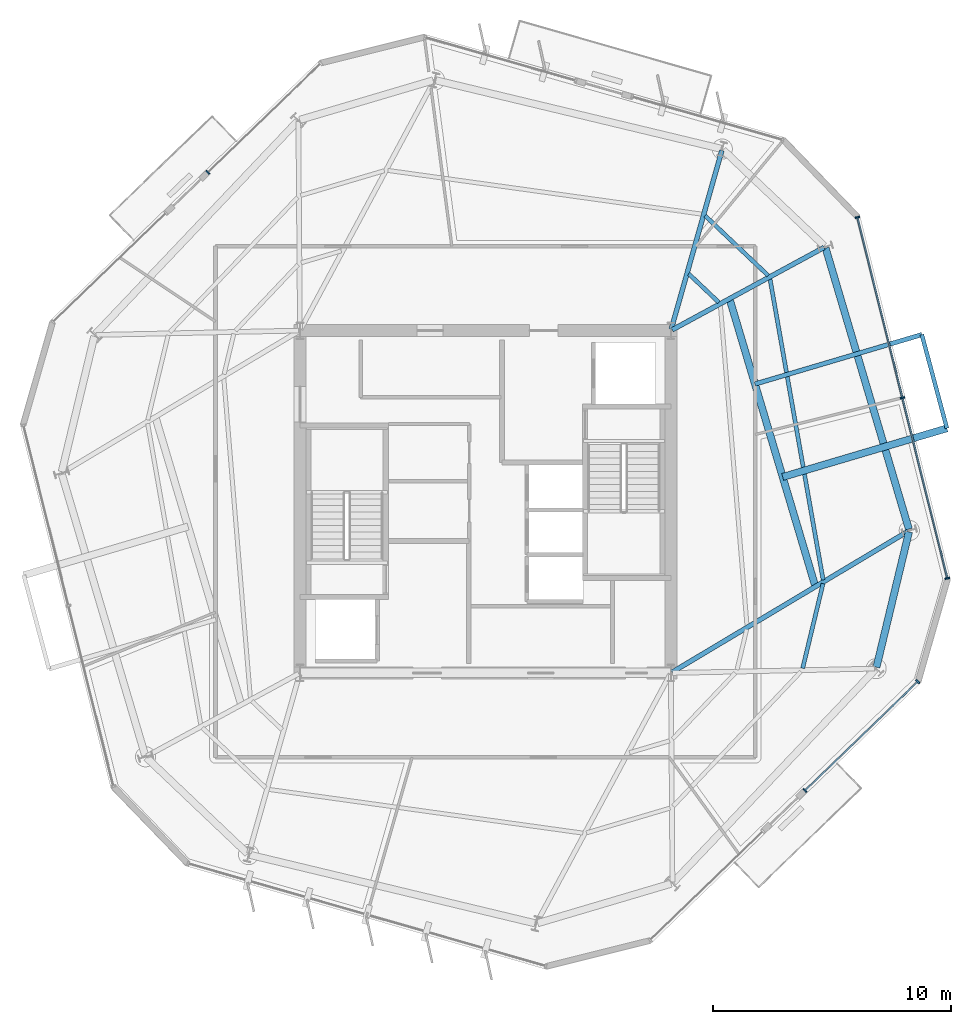
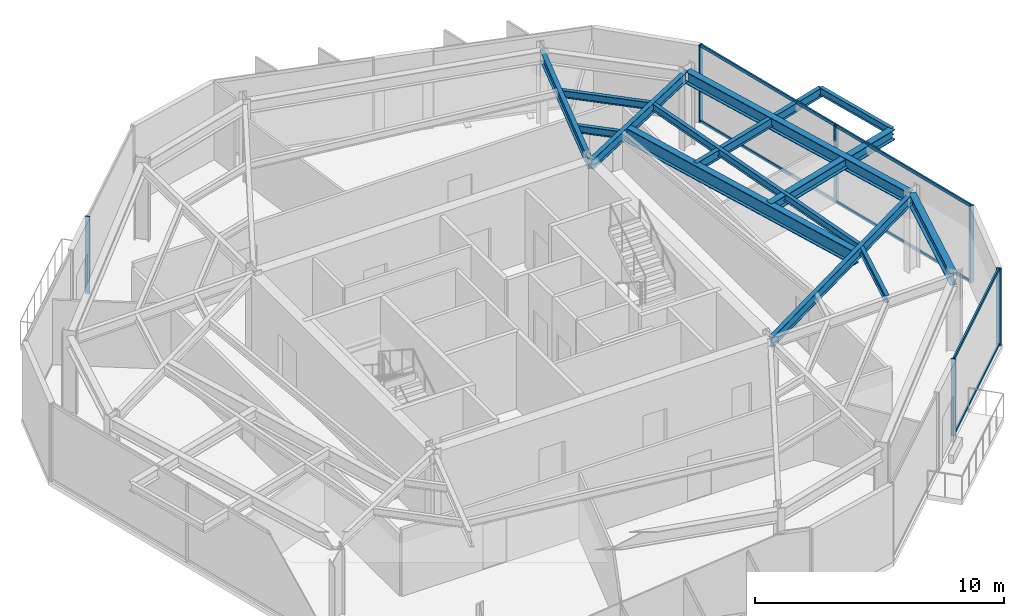
# One storey, part 4 of 10: 13 beams, 12 members, 3 elements without a shape of their own.
"""IFC4 building model written with IfcOpenShell, lengths in metres."""

from ifc_helpers import new_model, si_unit, direction, frame, origin, origin_2d, place, context, subcontext, project, spatial, rectangle, i_section, extrude, material, layer, layer_set, material_profile, profile_set, type_object, element, aggregate, save


model = new_model("IFC4")

# Units and contexts
model_context = context("Model", 3, precision=1e-05, world=origin(), true_north=direction((0.0, 1.0)))
body_context = subcontext(model_context, "Body", "Model", "MODEL_VIEW")
ifc_project = project(units=[si_unit("LENGTHUNIT", "METRE"), si_unit("AREAUNIT", "SQUARE_METRE"), si_unit("VOLUMEUNIT", "CUBIC_METRE"), si_unit("PLANEANGLEUNIT", "RADIAN"), si_unit("MASSUNIT", "GRAM", prefix="KILO")], contexts=[model_context])

# Site, building, storey
site_placement = place(None, origin())
site = spatial("IfcSite", under=ifc_project, at=site_placement, CompositionType="ELEMENT")
building_placement = place(site_placement, origin())
building = spatial("IfcBuilding", under=site, at=building_placement, Name="Kranzbogen Civic Tower", CompositionType="ELEMENT")
storey_placement = place(building_placement, frame((0.0, 0.0, 200.800048828125)))
storey = spatial("IfcBuildingStorey", under=building, at=storey_placement, Name="L48", CompositionType="ELEMENT", Elevation=200.800048828125)

# Beam
ifc_material_1 = material(Name="Steel S355", Category="steel")
ifc_material_profile_1 = material_profile(ifc_material_1, i_section(OverallWidth=0.18994140625, OverallDepth=0.449951171875, WebThickness=0.009521484375, FlangeThickness=0.0146484375, at=origin_2d()), Name="IPE 450")
ifc_profile_set_1 = profile_set([ifc_material_profile_1], Name="Steel S355")
beam_type_1 = type_object("IfcBeamType", Name="Braced Terrace Edge Beam IPE 450", PredefinedType="BEAM", material=ifc_profile_set_1)
beam_1_placement = place(storey_placement, frame((36.3369140625, 29.950927734375, 3.52490234375), z_axis=(0.958810225473, 0.28404744591, 0.0), x_axis=(-0.28404744591, 0.958810225473, 0.0)))
element("IfcBeam", 1, at=beam_1_placement, inside=storey, type_object=beam_type_1, Name="L49 back-spanned terrace beam L49-TB1-2", PredefinedType="BEAM", context=body_context, shape_type="SweptSolid", body=[
    extrude(i_section(OverallWidth=0.18994140625, OverallDepth=0.449951171875, WebThickness=0.009521484375, FlangeThickness=0.0146484375, at=origin_2d()), origin(), (0.0, 0.0, 1.0), 7.319580078125),
])

# Curtain wall, member
ifc_material_2 = material(Name="Pale Anodised Aluminium", Category="aluminium")
ifc_layer = layer(ifc_material_2, 0.219970703125, Name="Pale Anodised Aluminium")
ifc_layer_set = layer_set([ifc_layer], Name="Pale Anodised Aluminium")
curtain_wall_type = type_object("IfcCurtainWallType", Name="Zone 3 Stick Curtain Wall System CW-04", PredefinedType="USERDEFINED", material=ifc_layer_set)
curtain_wall_1_placement = place(storey_placement, origin())
curtain_wall_1 = element("IfcCurtainWall", 2, at=curtain_wall_1_placement, inside=storey, type_object=curtain_wall_type, Name="L48 curtain wall CW-L48-F2-S1", ObjectType="STICK CURTAIN WALL", PredefinedType="USERDEFINED")
ifc_material_profile_2 = material_profile(ifc_material_2, rectangle(XDim=0.070068359375, YDim=0.199951171875, at=origin_2d()), Name="ALU-M 70x200")
ifc_profile_set_2 = profile_set([ifc_material_profile_2], Name="Pale Anodised Aluminium")
member_type_1 = type_object("IfcMemberType", Name="Curtain Wall Mullion ALU-M 70x200", PredefinedType="MULLION", material=ifc_profile_set_2)
member_1_placement = place(storey_placement, frame((13.33056640625, 38.853759765625, 0.0), z_axis=(0.0, 0.0, 1.0), x_axis=(-0.719321190897, -0.694677640583, 0.0)))
member_1 = element("IfcMember", 3, at=member_1_placement, type_object=member_type_1, Name="CW-04 mullion 2", PredefinedType="MULLION", context=body_context, shape_type="SweptSolid", body=[
    extrude(rectangle(XDim=0.070068359375, YDim=0.199951171875, at=origin_2d()), origin(), (0.0, 0.0, 1.0), 3.780029296875),
])
aggregate(curtain_wall_1, [member_1])

# Curtain wall, members
curtain_wall_2_placement = place(storey_placement, origin())
curtain_wall_2 = element("IfcCurtainWall", 4, at=curtain_wall_2_placement, inside=storey, type_object=curtain_wall_type, Name="L48 curtain wall CW-L48-F5-S2", ObjectType="STICK CURTAIN WALL", PredefinedType="USERDEFINED")
member_2_placement = place(storey_placement, frame((38.4384765625, 12.854736328125, 0.0), z_axis=(0.0, 0.0, 1.0), x_axis=(0.719321190897, 0.694677640583, 0.0)))
member_2 = element("IfcMember", 5, at=member_2_placement, type_object=member_type_1, Name="CW-04 mullion 1", PredefinedType="MULLION", context=body_context, shape_type="SweptSolid", body=[
    extrude(rectangle(XDim=0.070068359375, YDim=0.199951171875, at=origin_2d()), origin(), (0.0, 0.0, 1.0), 3.780029296875),
])
member_3_placement = place(storey_placement, frame((43.182373046875, 17.436279296875, 0.0), z_axis=(0.0, 0.0, 1.0), x_axis=(0.719321190897, 0.694677640583, 0.0)))
member_3 = element("IfcMember", 6, at=member_3_placement, type_object=member_type_1, Name="CW-04 mullion 2", PredefinedType="MULLION", context=body_context, shape_type="SweptSolid", body=[
    extrude(rectangle(XDim=0.070068359375, YDim=0.199951171875, at=origin_2d()), origin(), (0.0, 0.0, 1.0), 3.780029296875),
])

curtain_wall_3_placement = place(storey_placement, origin())
curtain_wall_3 = element("IfcCurtainWall", 7, at=curtain_wall_3_placement, inside=storey, type_object=curtain_wall_type, Name="L48 curtain wall CW-L48-F6", ObjectType="STICK CURTAIN WALL", PredefinedType="USERDEFINED")
member_4_placement = place(storey_placement, frame((44.427734375, 21.780029296875, 0.0), z_axis=(0.0, 0.0, 1.0), x_axis=(-0.241906467442, 0.970299572817, 0.0)))
member_4 = element("IfcMember", 8, at=member_4_placement, type_object=member_type_1, Name="CW-04 mullion 1", PredefinedType="MULLION", context=body_context, shape_type="SweptSolid", body=[
    extrude(rectangle(XDim=0.070068359375, YDim=0.199951171875, at=origin_2d()), origin(), (0.0, 0.0, 1.0), 3.780029296875),
])
member_5_placement = place(storey_placement, frame((42.534912109375, 29.3720703125, 0.0), z_axis=(0.0, 0.0, 1.0), x_axis=(-0.241906467442, 0.970299572817, 0.0)))
member_5 = element("IfcMember", 9, at=member_5_placement, type_object=member_type_1, Name="CW-04 mullion 2", PredefinedType="MULLION", context=body_context, shape_type="SweptSolid", body=[
    extrude(rectangle(XDim=0.070068359375, YDim=0.199951171875, at=origin_2d()), origin(), (0.0, 0.0, 1.0), 3.780029296875),
])
member_6_placement = place(storey_placement, frame((40.642333984375, 36.9638671875, 0.0), z_axis=(0.0, 0.0, 1.0), x_axis=(-0.241906467442, 0.970299572817, 0.0)))
member_6 = element("IfcMember", 10, at=member_6_placement, type_object=member_type_1, Name="CW-04 mullion 3", PredefinedType="MULLION", context=body_context, shape_type="SweptSolid", body=[
    extrude(rectangle(XDim=0.070068359375, YDim=0.199951171875, at=origin_2d()), origin(), (0.0, 0.0, 1.0), 3.780029296875),
])

# Member
ifc_material_profile_3 = material_profile(ifc_material_2, rectangle(XDim=0.070068359375, YDim=0.14990234375, at=origin_2d()), Name="ALU-T 70x150")
ifc_profile_set_3 = profile_set([ifc_material_profile_3], Name="Pale Anodised Aluminium")
member_type_2 = type_object("IfcMemberType", Name="Curtain Wall Transom ALU-T 70x150", PredefinedType="USERDEFINED", material=ifc_profile_set_3)
member_7_placement = place(storey_placement, frame((38.460205078125, 12.875732421875, 0.030029296875), z_axis=(0.719328070207, 0.694670517161, 0.0), x_axis=(-0.694670517161, 0.719328070207, 0.0)))
member_7 = element("IfcMember", 11, at=member_7_placement, type_object=member_type_2, Name="CW-04 transom 1.1", ObjectType="TRANSOM", PredefinedType="USERDEFINED", context=body_context, shape_type="SweptSolid", body=[
    extrude(rectangle(XDim=0.070068359375, YDim=0.14990234375, at=origin_2d()), origin(), (0.0, 0.0, 1.0), 6.534912109375),
])

member_8_placement = place(storey_placement, frame((38.460205078125, 12.875732421875, 3.75), z_axis=(0.719328070207, 0.694670517161, 0.0), x_axis=(-0.694670517161, 0.719328070207, 0.0)))
member_8 = element("IfcMember", 12, at=member_8_placement, type_object=member_type_2, Name="CW-04 transom 1.2", ObjectType="TRANSOM", PredefinedType="USERDEFINED", context=body_context, shape_type="SweptSolid", body=[
    extrude(rectangle(XDim=0.070068359375, YDim=0.14990234375, at=origin_2d()), origin(), (0.0, 0.0, 1.0), 6.534912109375),
])

aggregate(curtain_wall_2, [member_2, member_3, member_7, member_8])

member_9_placement = place(storey_placement, frame((44.42041015625, 21.809326171875, 0.030029296875), z_axis=(-0.241906673326, 0.970299521488, 0.0), x_axis=(-0.970299521488, -0.241906673326, 0.0)))
member_9 = element("IfcMember", 13, at=member_9_placement, type_object=member_type_2, Name="CW-04 transom 1.1", ObjectType="TRANSOM", PredefinedType="USERDEFINED", context=body_context, shape_type="SweptSolid", body=[
    extrude(rectangle(XDim=0.070068359375, YDim=0.14990234375, at=origin_2d()), origin(), (0.0, 0.0, 1.0), 7.76416015625),
])

member_10_placement = place(storey_placement, frame((44.42041015625, 21.809326171875, 3.75), z_axis=(-0.241906673326, 0.970299521488, 0.0), x_axis=(-0.970299521488, -0.241906673326, 0.0)))
member_10 = element("IfcMember", 14, at=member_10_placement, type_object=member_type_2, Name="CW-04 transom 1.2", ObjectType="TRANSOM", PredefinedType="USERDEFINED", context=body_context, shape_type="SweptSolid", body=[
    extrude(rectangle(XDim=0.070068359375, YDim=0.14990234375, at=origin_2d()), origin(), (0.0, 0.0, 1.0), 7.76416015625),
])

member_11_placement = place(storey_placement, frame((42.52783203125, 29.401123046875, 0.030029296875), z_axis=(-0.241928896486, 0.970293980732, 0.0), x_axis=(-0.970293980732, -0.241928896486, 0.0)))
member_11 = element("IfcMember", 15, at=member_11_placement, type_object=member_type_2, Name="CW-04 transom 2.1", ObjectType="TRANSOM", PredefinedType="USERDEFINED", context=body_context, shape_type="SweptSolid", body=[
    extrude(rectangle(XDim=0.070068359375, YDim=0.14990234375, at=origin_2d()), origin(), (0.0, 0.0, 1.0), 7.764404296875),
])

member_12_placement = place(storey_placement, frame((42.52783203125, 29.401123046875, 3.75), z_axis=(-0.241928896486, 0.970293980732, 0.0), x_axis=(-0.970293980732, -0.241928896486, 0.0)))
member_12 = element("IfcMember", 16, at=member_12_placement, type_object=member_type_2, Name="CW-04 transom 2.2", ObjectType="TRANSOM", PredefinedType="USERDEFINED", context=body_context, shape_type="SweptSolid", body=[
    extrude(rectangle(XDim=0.070068359375, YDim=0.14990234375, at=origin_2d()), origin(), (0.0, 0.0, 1.0), 7.764404296875),
])

aggregate(curtain_wall_3, [member_4, member_5, member_6, member_9, member_10, member_11, member_12])

# Beams
ifc_material_profile_4 = material_profile(ifc_material_1, i_section(OverallWidth=0.300048828125, OverallDepth=0.5, WebThickness=0.014404296875, FlangeThickness=0.028076171875, at=origin_2d()), Name="HEB 500")
ifc_profile_set_4 = profile_set([ifc_material_profile_4], Name="Steel S355")
beam_type_2 = type_object("IfcBeamType", Name="Perimeter Tube Spandrel Beam HEB 500", PredefinedType="SPANDREL", material=ifc_profile_set_4)
beam_2_placement = place(storey_placement, frame((37.5029296875, 26.04296875, 3.5), z_axis=(0.958823064633, 0.284004103364, 0.0), x_axis=(-0.284004103364, 0.958823064633, 0.0)))
element("IfcBeam", 17, at=beam_2_placement, inside=storey, type_object=beam_type_2, Name="L49 back-spanned terrace beam L49-TB1-1", PredefinedType="SPANDREL", context=body_context, shape_type="SweptSolid", body=[
    extrude(i_section(OverallWidth=0.300048828125, OverallDepth=0.5, WebThickness=0.014404296875, FlangeThickness=0.028076171875, at=origin_2d()), origin(), (0.0, 0.0, 1.0), 7.20458984375),
])
ifc_material_profile_5 = material_profile(ifc_material_1, i_section(OverallWidth=0.300048828125, OverallDepth=0.60009765625, WebThickness=0.015380859375, FlangeThickness=0.030029296875, at=origin_2d()), Name="HEB 600")
ifc_profile_set_5 = profile_set([ifc_material_profile_5], Name="Steel S355")
beam_type_3 = type_object("IfcBeamType", Name="Perimeter Tube Spandrel Beam HEB 600", PredefinedType="SPANDREL", material=ifc_profile_set_5)
beam_3_placement = place(storey_placement, frame((41.447021484375, 18.0419921875, 3.47998046875), z_axis=(0.233554380434, 0.972343741369, 0.0), x_axis=(-0.972343741369, 0.233554380434, 0.0)))
element("IfcBeam", 18, at=beam_3_placement, inside=storey, type_object=beam_type_3, Name="L48 perimeter spandrel beam 05", PredefinedType="SPANDREL", context=body_context, shape_type="SweptSolid", body=[
    extrude(i_section(OverallWidth=0.300048828125, OverallDepth=0.60009765625, WebThickness=0.015380859375, FlangeThickness=0.030029296875, at=origin_2d()), origin(), (0.0, 0.0, 1.0), 5.852783203125),
])
beam_4_placement = place(storey_placement, frame((42.81103515625, 23.84912109375, 3.47998046875), z_axis=(-0.284064048956, 0.958805306666, 0.0), x_axis=(-0.958805306666, -0.284064048956, 0.0)))
element("IfcBeam", 19, at=beam_4_placement, inside=storey, type_object=beam_type_3, Name="L48 perimeter spandrel beam 06", PredefinedType="SPANDREL", context=body_context, shape_type="SweptSolid", body=[
    extrude(i_section(OverallWidth=0.300048828125, OverallDepth=0.60009765625, WebThickness=0.015380859375, FlangeThickness=0.030029296875, at=origin_2d()), origin(), (0.0, 0.0, 1.0), 12.32470703125),
])
ifc_material_profile_6 = material_profile(ifc_material_1, i_section(OverallWidth=0.300048828125, OverallDepth=0.699951171875, WebThickness=0.01708984375, FlangeThickness=0.031982421875, at=origin_2d()), Name="HEB 700")
ifc_profile_set_6 = profile_set([ifc_material_profile_6], Name="Steel S355")
beam_type_4 = type_object("IfcBeamType", Name="Perimeter Tube Spandrel Beam HEB 700", PredefinedType="SPANDREL", material=ifc_profile_set_6)
beam_5_placement = place(storey_placement, frame((38.87890625, 21.431884765625, 3.39990234375), z_axis=(-0.285870808606, 0.95826816747, 0.0), x_axis=(-0.95826816747, -0.285870808606, 0.0)))
element("IfcBeam", 20, at=beam_5_placement, inside=storey, type_object=beam_type_4, Name="L49 balcony back-span header girder L49-TB1", PredefinedType="SPANDREL", context=body_context, shape_type="SweptSolid", body=[
    extrude(i_section(OverallWidth=0.300048828125, OverallDepth=0.699951171875, WebThickness=0.01708984375, FlangeThickness=0.031982421875, at=origin_2d()), origin(), (0.0, 0.0, 1.0), 12.634521484375),
])
ifc_material_profile_7 = material_profile(ifc_material_1, i_section(OverallWidth=0.199951171875, OverallDepth=0.5, WebThickness=0.01025390625, FlangeThickness=0.01611328125, at=origin_2d()), Name="IPE 500")
ifc_profile_set_7 = profile_set([ifc_material_profile_7], Name="Steel S355")
beam_type_5 = type_object("IfcBeamType", Name="Radial Tower Floor Girder IPE 500", PredefinedType="BEAM", material=ifc_profile_set_7)
beam_6_placement = place(storey_placement, frame((42.77587890625, 23.760009765625, 3.530029296875), z_axis=(-0.858458551809, -0.512882944565, 0.0), x_axis=(0.512882944565, -0.858458551809, 0.0)))
element("IfcBeam", 21, at=beam_6_placement, inside=storey, type_object=beam_type_5, Name="L48 radial floor girder 06", PredefinedType="BEAM", context=body_context, shape_type="SweptSolid", body=[
    extrude(i_section(OverallWidth=0.199951171875, OverallDepth=0.5, WebThickness=0.01025390625, FlangeThickness=0.01611328125, at=origin_2d()), origin(), (0.0, 0.0, 1.0), 11.56005859375),
])
beam_7_placement = place(storey_placement, frame((39.239990234375, 35.695068359375, 3.530029296875), z_axis=(-0.878919430102, -0.476970266777, 0.0), x_axis=(0.476970266777, -0.878919430102, 0.0)))
element("IfcBeam", 22, at=beam_7_placement, inside=storey, type_object=beam_type_5, Name="L48 radial floor girder 07", PredefinedType="BEAM", context=body_context, shape_type="SweptSolid", body=[
    extrude(i_section(OverallWidth=0.199951171875, OverallDepth=0.5, WebThickness=0.01025390625, FlangeThickness=0.01611328125, at=origin_2d()), origin(), (0.0, 0.0, 1.0), 7.266845703125),
])
beam_8_placement = place(storey_placement, frame((34.945068359375, 39.777099609375, 3.530029296875), z_axis=(-0.272455078988, -0.962168503919, 0.0), x_axis=(0.962168503919, -0.272455078988, 0.0)))
element("IfcBeam", 23, at=beam_8_placement, inside=storey, type_object=beam_type_5, Name="L48 radial floor girder 08", PredefinedType="BEAM", context=body_context, shape_type="SweptSolid", body=[
    extrude(i_section(OverallWidth=0.199951171875, OverallDepth=0.5, WebThickness=0.01025390625, FlangeThickness=0.01611328125, at=origin_2d()), origin(), (0.0, 0.0, 1.0), 7.814697265625),
])
ifc_material_profile_8 = material_profile(ifc_material_1, i_section(OverallWidth=0.169921875, OverallDepth=0.360107421875, WebThickness=0.008056640625, FlangeThickness=0.0126953125, at=origin_2d()), Name="IPE 360")
ifc_profile_set_8 = profile_set([ifc_material_profile_8], Name="Steel S355")
beam_type_6 = type_object("IfcBeamType", Name="Secondary Composite Floor Joist IPE 360", PredefinedType="JOIST", material=ifc_profile_set_8)
beam_9_placement = place(storey_placement, frame((38.343994140625, 17.99609375, 3.599853515625), z_axis=(0.233534367714, 0.972348548154, 0.0), x_axis=(-0.972348548154, 0.233534367714, 0.0)))
element("IfcBeam", 24, at=beam_9_placement, inside=storey, type_object=beam_type_6, Name="L48 secondary floor joist 1.05", PredefinedType="JOIST", context=body_context, shape_type="SweptSolid", body=[
    extrude(i_section(OverallWidth=0.169921875, OverallDepth=0.360107421875, WebThickness=0.008056640625, FlangeThickness=0.0126953125, at=origin_2d()), origin(), (0.0, 0.0, 1.0), 3.6611328125),
])
beam_10_placement = place(storey_placement, frame((39.2041015625, 21.712890625, 3.599853515625), z_axis=(-0.173805911364, 0.984779927281, 0.0), x_axis=(-0.984779927281, -0.173805911364, 0.0)))
element("IfcBeam", 25, at=beam_10_placement, inside=storey, type_object=beam_type_6, Name="L48 secondary floor joist 1.06", PredefinedType="JOIST", context=body_context, shape_type="SweptSolid", body=[
    extrude(i_section(OverallWidth=0.169921875, OverallDepth=0.360107421875, WebThickness=0.008056640625, FlangeThickness=0.0126953125, at=origin_2d()), origin(), (0.0, 0.0, 1.0), 12.85986328125),
])
beam_11_placement = place(storey_placement, frame((36.89697265625, 34.510009765625, 3.599853515625), z_axis=(-0.725300648604, 0.688432254572, 0.0), x_axis=(-0.688432254572, -0.725300648604, 0.0)))
element("IfcBeam", 26, at=beam_11_placement, inside=storey, type_object=beam_type_6, Name="L48 secondary floor joist 1.07", PredefinedType="JOIST", context=body_context, shape_type="SweptSolid", body=[
    extrude(i_section(OverallWidth=0.169921875, OverallDepth=0.360107421875, WebThickness=0.008056640625, FlangeThickness=0.0126953125, at=origin_2d()), origin(), (0.0, 0.0, 1.0), 3.661865234375),
])
beam_12_placement = place(storey_placement, frame((34.820068359375, 33.383056640625, 3.599853515625), z_axis=(-0.725479767774, 0.688243493649, 0.0), x_axis=(-0.688243493649, -0.725479767774, 0.0)))
element("IfcBeam", 27, at=beam_12_placement, inside=storey, type_object=beam_type_6, Name="L48 secondary floor joist 2.07", PredefinedType="JOIST", context=body_context, shape_type="SweptSolid", body=[
    extrude(i_section(OverallWidth=0.169921875, OverallDepth=0.360107421875, WebThickness=0.008056640625, FlangeThickness=0.0126953125, at=origin_2d()), origin(), (0.0, 0.0, 1.0), 1.75048828125),
])
beam_13_placement = place(storey_placement, frame((44.410888671875, 28.089111328125, 3.570068359375), z_axis=(-0.258805876538, 0.965929354699, 0.0), x_axis=(-0.965929354699, -0.258805876538, 0.0)))
element("IfcBeam", 28, at=beam_13_placement, inside=storey, type_object=beam_type_6, Name="L49 terrace outer edge trimmer L49-TB1", PredefinedType="JOIST", context=body_context, shape_type="SweptSolid", body=[
    extrude(i_section(OverallWidth=0.169921875, OverallDepth=0.360107421875, WebThickness=0.008056640625, FlangeThickness=0.0126953125, at=origin_2d()), origin(), (0.0, 0.0, 1.0), 4.079833984375),
])

save(model, "model.ifc")
